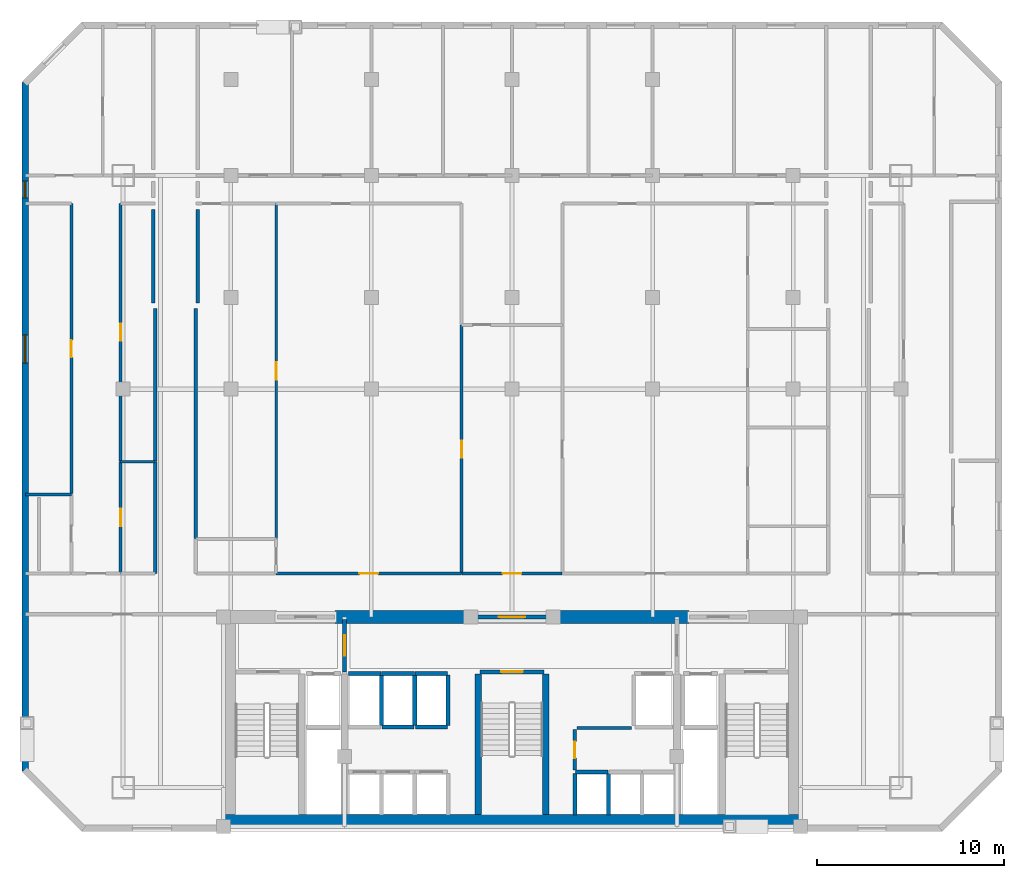
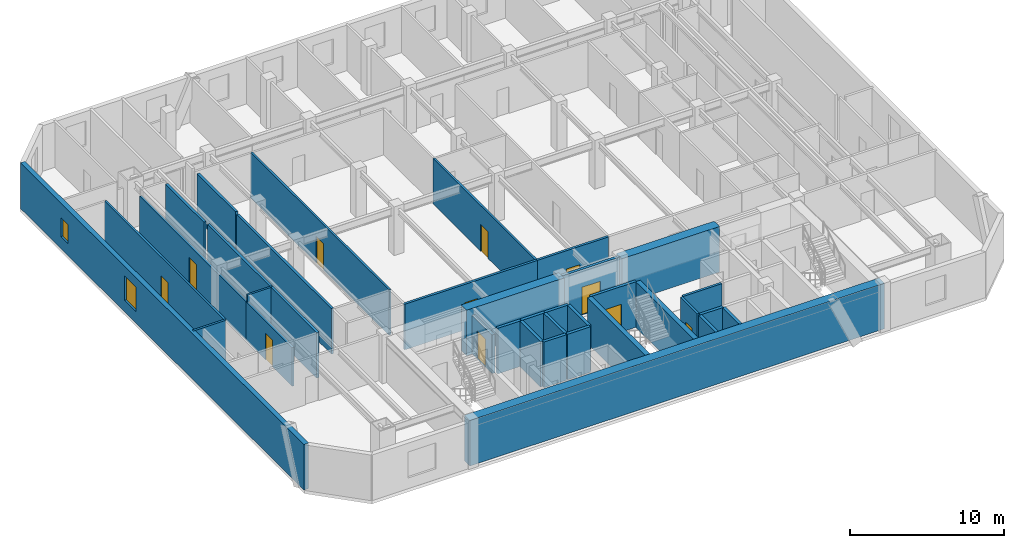
# One storey, part 3 of 8: 36 walls, 11 doors, 2 windows, 13 openings.
"""IFC4 building model written with IfcOpenShell, lengths in metres."""

from ifc_helpers import new_model, si_unit, direction, frame, frame_2d, origin, place, context, subcontext, project, spatial, rectangle, extrude, material, layer, layer_set, type_object, element, fill, save


model = new_model("IFC4")

# Units and contexts
model_context = context("Model", 3, precision=1e-05, world=origin(), true_north=direction((0.0, 1.0)))
body_context = subcontext(model_context, "Body", "Model", "MODEL_VIEW")
ifc_project = project(units=[si_unit("LENGTHUNIT", "METRE"), si_unit("AREAUNIT", "SQUARE_METRE"), si_unit("VOLUMEUNIT", "CUBIC_METRE"), si_unit("PLANEANGLEUNIT", "RADIAN"), si_unit("MASSUNIT", "GRAM", prefix="KILO")], contexts=[model_context])

# Site, building, storey
site_placement = place(None, origin())
site = spatial("IfcSite", under=ifc_project, at=site_placement, CompositionType="ELEMENT")
building_placement = place(site_placement, origin())
building = spatial("IfcBuilding", under=site, at=building_placement, Name="Ventersveld Concourse Tower", CompositionType="ELEMENT")
storey_placement = place(building_placement, frame((0.0, 0.0, 127.25)))
storey = spatial("IfcBuildingStorey", under=building, at=storey_placement, Name="L31", CompositionType="ELEMENT", Elevation=127.25)

# Walls
ifc_material_1 = material(Name="Concrete C60/75", Category="concrete")
ifc_layer_1 = layer(ifc_material_1, 0.35009765625)
ifc_layer_set_1 = layer_set([ifc_layer_1], Name="Concrete C60/75")
wall_type_1 = type_object("IfcWallType", Name="WL-CORE-350L", PredefinedType="SHEAR", material=ifc_layer_set_1)
for number, where, z_axis, x_axis, name in (
    (1, (26.93994140625, 0.919921875, 0.0), (0.0, 0.0, 1.0), (0.0, 1.0, 0.0), "L31 Core Internal Shear Web W-ST3-W"),
    (2, (30.56005859375, 0.919921875, 0.0), (0.0, 0.0, 1.0), (0.0, 1.0, 0.0), "L31 Core Internal Shear Web W-ST3-E"),
):
    element("IfcWall", number, at=place(storey_placement, frame(where, z_axis=z_axis, x_axis=x_axis)), inside=storey, type_object=wall_type_1, Name=name, PredefinedType="SHEAR", context=body_context, shape_type="SweptSolid", body=[
        extrude(rectangle(XDim=7.5, YDim=0.35009765625, at=frame_2d((3.75, 0.0))), origin(), (0.0, 0.0, 1.0), 3.60009765625),
    ])
ifc_layer_2 = layer(ifc_material_1, 0.699951171875)
ifc_layer_set_2 = layer_set([ifc_layer_2], Name="Concrete C60/75")
wall_type_2 = type_object("IfcWallType", Name="WL-CORE-700", PredefinedType="SHEAR", material=ifc_layer_set_2)
wall_1_placement = place(storey_placement, frame((13.25, 0.570068359375, 0.0), z_axis=(0.0, 0.0, 1.0), x_axis=(1.0, 0.0, 0.0)))
element("IfcWall", 3, at=wall_1_placement, inside=storey, type_object=wall_type_2, Name="L31 Rear Core South Shear Wall", PredefinedType="SHEAR", context=body_context, shape_type="SweptSolid", body=[
    extrude(rectangle(XDim=31.0, YDim=0.699951171875, at=frame_2d((15.5, 0.0))), origin(), (0.0, 0.0, 1.0), 3.60009765625),
])
for number, where, z_axis, x_axis, name in (
    (4, (19.300048828125, 11.449951171875, 0.0), (0.0, 0.0, 1.0), (1.0, 0.0, 0.0), "L31 Rear Core North Shear Wall NML"),
    (5, (30.89990234375, 11.449951171875, 0.0), (0.0, 0.0, 1.0), (1.0, 0.0, 0.0), "L31 Rear Core North Shear Wall NMR"),
):
    element("IfcWall", number, at=place(storey_placement, frame(where, z_axis=z_axis, x_axis=x_axis)), inside=storey, type_object=wall_type_2, Name=name, PredefinedType="SHEAR", context=body_context, shape_type="SweptSolid", body=[
        extrude(rectangle(XDim=7.300048828125, YDim=0.699951171875, at=frame_2d((3.64990234375, 0.0))), origin(), (0.0, 0.0, 1.0), 3.60009765625),
    ])

# Wall, opening, door
ifc_material_2 = material(Name="Fire-rated autoclaved aerated masonry blockwork", Category="masonry")
ifc_layer_3 = layer(ifc_material_2, 0.179931640625)
ifc_layer_set_3 = layer_set([ifc_layer_3], Name="Fire-rated autoclaved aerated masonry blockwork")
wall_type_3 = type_object("IfcWallType", Name="WL-CORR-180", PredefinedType="PARTITIONING", material=ifc_layer_set_3)
wall_2_placement = place(storey_placement, frame((32.10009765625, 3.280029296875, 0.0), z_axis=(0.0, 0.0, 1.0), x_axis=(0.0, 1.0, 0.0)))
wall_2 = element("IfcWall", 6, at=wall_2_placement, inside=storey, type_object=wall_type_3, Name="L31 Core Passage Wall SP-L31-CBAY2", PredefinedType="PARTITIONING", context=body_context, shape_type="SweptSolid", body=[
    extrude(rectangle(XDim=2.169921875, YDim=0.179931640625, at=frame_2d((1.0849609375, 0.0))), origin(), (0.0, 0.0, 1.0), 3.60009765625),
])
opening_1_placement = place(wall_2_placement, frame((0.64501953125, 0.0, 0.0)))
opening_1 = element("IfcOpeningElement", 7, at=opening_1_placement, cuts=wall_2, Name="Opening FD5", PredefinedType="OPENING", context=body_context, shape_type="SweptSolid", body=[
    extrude(rectangle(XDim=0.8798828125, YDim=2.050048828125, at=frame_2d((0.43994140625, 1.02490234375))), frame((0.0, 0.10009765625, 0.0), z_axis=(0.0, -1.0, 0.0), x_axis=(1.0, 0.0, 0.0)), (0.0, 0.0, 1.0), 0.199951171875),
])
ifc_material_3 = material(Name="Galvanised painted steel", Category="steel")
door_type_1 = type_object("IfcDoorType", Name="DR-RISER-088", OperationType="NOTDEFINED", PredefinedType="DOOR", material=ifc_material_3)
door_1_placement = place(opening_1_placement, origin())
door_1 = element("IfcDoor", 8, at=door_1_placement, inside=storey, type_object=door_type_1, Name="L31 Core Room Door L31 Core Parcel and Mail Store (CD-L31-1542)", OperationType="SINGLE_SWING_LEFT", OverallHeight=2.050048828125, OverallWidth=0.8798828125, PredefinedType="DOOR", context=body_context, shape_type="SweptSolid", body=[
    extrude(rectangle(XDim=0.8798828125, YDim=2.050048828125, at=frame_2d((0.43994140625, 1.02490234375))), frame((0.0, 0.02490234375, 0.0), z_axis=(0.0, -1.0, 0.0), x_axis=(1.0, 0.0, 0.0)), (0.0, 0.0, 1.0), 0.050048828125),
])
fill(opening_1, door_1)

# Walls
wall_3_placement = place(storey_placement, frame((32.219970703125, 5.530029296875, 0.0), z_axis=(0.0, 0.0, 1.0), x_axis=(1.0, 0.0, 0.0)))
element("IfcWall", 9, at=wall_3_placement, inside=storey, type_object=wall_type_3, Name="L31 Core Top Wall SP-L31-CBAY2", PredefinedType="PARTITIONING", context=body_context, shape_type="SweptSolid", body=[
    extrude(rectangle(XDim=2.900146484375, YDim=0.179931640625, at=frame_2d((1.4501953125, 0.0))), origin(), (0.0, 0.0, 1.0), 3.60009765625),
])
wall_4_placement = place(storey_placement, frame((9.7099609375, 13.764892578125, 0.0), z_axis=(0.0, 0.0, 1.0), x_axis=(0.0, 1.0, 0.0)))
element("IfcWall", 10, at=wall_4_placement, inside=storey, type_object=wall_type_3, Name="L31 Interior Partition SP-L31-COR-SP-L31-31NW-KIT", PredefinedType="PARTITIONING", context=body_context, shape_type="SweptSolid", body=[
    extrude(rectangle(XDim=5.974365234375, YDim=0.179931640625, at=frame_2d((2.9873046875, 0.0))), origin(), (0.0, 0.0, 1.0), 3.60009765625),
])
wall_5_placement = place(storey_placement, frame((9.7099609375, 19.769287109375, 0.0), z_axis=(0.0, 0.0, 1.0), x_axis=(0.0, 1.0, 0.0)))
element("IfcWall", 11, at=wall_5_placement, inside=storey, type_object=wall_type_3, Name="L31 Interior Partition SP-L31-COR-SP-L31-31NW-OFFR1", PredefinedType="PARTITIONING", context=body_context, shape_type="SweptSolid", body=[
    extrude(rectangle(XDim=8.125732421875, YDim=0.179931640625, at=frame_2d((4.06298828125, 0.0))), origin(), (0.0, 0.0, 1.0), 3.60009765625),
])

# Wall, opening, door
wall_6_placement = place(storey_placement, frame((16.1650390625, 13.77001953125, 0.0), z_axis=(0.0, 0.0, 1.0), x_axis=(1.0, 0.0, 0.0)))
wall_6 = element("IfcWall", 12, at=wall_6_placement, inside=storey, type_object=wall_type_3, Name="L31 Interior Partition SP-L31-COR-SP-L31-31N1-WGAL1", PredefinedType="PARTITIONING", context=body_context, shape_type="SweptSolid", body=[
    extrude(rectangle(XDim=9.89990234375, YDim=0.179931640625, at=frame_2d((4.949951171875, 0.0))), origin(), (0.0, 0.0, 1.0), 3.60009765625),
])
opening_2_placement = place(wall_6_placement, frame((4.449951171875, 0.0, 0.0)))
opening_2 = element("IfcOpeningElement", 13, at=opening_2_placement, cuts=wall_6, Name="Opening FD3", PredefinedType="OPENING", context=body_context, shape_type="SweptSolid", body=[
    extrude(rectangle(XDim=1.0, YDim=2.14990234375, at=frame_2d((0.5, 1.074951171875))), frame((0.0, 0.10009765625, 0.0), z_axis=(0.0, -1.0, 0.0), x_axis=(1.0, 0.0, 0.0)), (0.0, 0.0, 1.0), 0.199951171875),
])
ifc_material_4 = material(Name="Solid-core hardwood veneer timber", Category="wood")
door_type_2 = type_object("IfcDoorType", Name="DR-FLAT-100", OperationType="NOTDEFINED", PredefinedType="DOOR", material=ifc_material_4)
door_2_placement = place(opening_2_placement, origin())
door_2 = element("IfcDoor", 14, at=door_2_placement, inside=storey, type_object=door_type_2, Name="L31 Interior Door SP-L31-COR to SP-L31-31N1-WGAL1 (FD-L31-1547)", OperationType="SINGLE_SWING_LEFT", OverallHeight=2.14990234375, OverallWidth=1.0, PredefinedType="DOOR", context=body_context, shape_type="SweptSolid", body=[
    extrude(rectangle(XDim=1.0, YDim=2.14990234375, at=frame_2d((0.5, 1.074951171875))), frame((0.0, 0.02490234375, 0.0), z_axis=(0.0, -1.0, 0.0), x_axis=(1.0, 0.0, 0.0)), (0.0, 0.0, 1.0), 0.050048828125),
])
fill(opening_2, door_2)

wall_7_placement = place(storey_placement, frame((26.094970703125, 13.77001953125, 0.0), z_axis=(0.0, 0.0, 1.0), x_axis=(1.0, 0.0, 0.0)))
wall_7 = element("IfcWall", 15, at=wall_7_placement, inside=storey, type_object=wall_type_3, Name="L31 Interior Partition SP-L31-COR-SP-L31-31N1-FOY", PredefinedType="PARTITIONING", context=body_context, shape_type="SweptSolid", body=[
    extrude(rectangle(XDim=5.31005859375, YDim=0.179931640625, at=frame_2d((2.655029296875, 0.0))), origin(), (0.0, 0.0, 1.0), 3.60009765625),
])
opening_3_placement = place(wall_7_placement, frame((2.155029296875, 0.0, 0.0)))
opening_3 = element("IfcOpeningElement", 16, at=opening_3_placement, cuts=wall_7, Name="Opening FD3", PredefinedType="OPENING", context=body_context, shape_type="SweptSolid", body=[
    extrude(rectangle(XDim=1.0, YDim=2.14990234375, at=frame_2d((0.5, 1.074951171875))), frame((0.0, 0.10009765625, 0.0), z_axis=(0.0, -1.0, 0.0), x_axis=(1.0, 0.0, 0.0)), (0.0, 0.0, 1.0), 0.199951171875),
])
door_3_placement = place(opening_3_placement, origin())
door_3 = element("IfcDoor", 17, at=door_3_placement, inside=storey, type_object=door_type_2, Name="L31 Interior Door SP-L31-COR to SP-L31-31N1-FOY (FD-L31-1549)", OperationType="SINGLE_SWING_LEFT", OverallHeight=2.14990234375, OverallWidth=1.0, PredefinedType="DOOR", context=body_context, shape_type="SweptSolid", body=[
    extrude(rectangle(XDim=1.0, YDim=2.14990234375, at=frame_2d((0.5, 1.074951171875))), frame((0.0, 0.02490234375, 0.0), z_axis=(0.0, -1.0, 0.0), x_axis=(1.0, 0.0, 0.0)), (0.0, 0.0, 1.0), 0.050048828125),
])
fill(opening_3, door_3)

# Walls
wall_8_placement = place(storey_placement, frame((11.889892578125, 15.635009765625, 0.0), z_axis=(0.0, 0.0, 1.0), x_axis=(0.0, 1.0, 0.0)))
element("IfcWall", 18, at=wall_8_placement, inside=storey, type_object=wall_type_3, Name="L31 Interior Partition SP-L31-COR-SP-L31-31N1-OFFL0", PredefinedType="PARTITIONING", context=body_context, shape_type="SweptSolid", body=[
    extrude(rectangle(XDim=12.260009765625, YDim=0.179931640625, at=frame_2d((6.1298828125, 0.0))), origin(), (0.0, 0.0, 1.0), 3.60009765625),
])
for number, where, z_axis, x_axis, name in (
    (19, (9.6201171875, 33.175048828125, 0.0), (0.0, 0.0, 1.0), (0.0, -1.0, 0.0), "L31 Room Enclosure Wall SP-L31-31NW-OFFR1"),
    (20, (11.97998046875, 28.2099609375, 0.0), (0.0, 0.0, 1.0), (0.0, 1.0, 0.0), "L31 Room Enclosure Wall SP-L31-31N1-OFFL0"),
):
    element("IfcWall", number, at=place(storey_placement, frame(where, z_axis=z_axis, x_axis=x_axis)), inside=storey, type_object=wall_type_3, Name=name, PredefinedType="PARTITIONING", context=body_context, shape_type="SweptSolid", body=[
        extrude(rectangle(XDim=4.965087890625, YDim=0.179931640625, at=frame_2d((2.482421875, 0.0))), origin(), (0.0, 0.0, 1.0), 3.60009765625),
    ])
ifc_layer_4 = layer(ifc_material_2, 0.219970703125)
ifc_layer_set_4 = layer_set([ifc_layer_4], Name="Fire-rated autoclaved aerated masonry blockwork")
wall_type_4 = type_object("IfcWallType", Name="WL-HOIST-220", PredefinedType="SOLIDWALL", material=ifc_layer_set_4)
for number, where, z_axis, x_axis, name in (
    (21, (32.1201171875, 0.89990234375, 0.0), (0.0, 0.0, 1.0), (0.0, 1.0, 0.0), "L31 Lift Hoistway Side Wall PM-01W"),
    (22, (33.89990234375, 0.89990234375, 0.0), (0.0, 0.0, 1.0), (0.0, 1.0, 0.0), "L31 Lift Hoistway Side Wall PM-01E"),
):
    element("IfcWall", number, at=place(storey_placement, frame(where, z_axis=z_axis, x_axis=x_axis)), inside=storey, type_object=wall_type_4, Name=name, PredefinedType="SOLIDWALL", context=body_context, shape_type="SweptSolid", body=[
        extrude(rectangle(XDim=2.2001953125, YDim=0.219970703125, at=frame_2d((1.10009765625, 0.0))), origin(), (0.0, 0.0, 1.0), 3.60009765625),
    ])
wall_9_placement = place(storey_placement, frame((32.139892578125, 3.179931640625, 0.0), z_axis=(0.0, 0.0, 1.0), x_axis=(1.0, 0.0, 0.0)))
element("IfcWall", 23, at=wall_9_placement, inside=storey, type_object=wall_type_4, Name="L31 Lift Hoistway Front Wall PM-01", PredefinedType="SOLIDWALL", context=body_context, shape_type="SweptSolid", body=[
    extrude(rectangle(XDim=1.739990234375, YDim=0.219970703125, at=frame_2d((0.8701171875, 0.0))), origin(), (0.0, 0.0, 1.0), 3.60009765625),
])
wall_10_placement = place(storey_placement, frame((21.780029296875, 5.64990234375, 0.0), z_axis=(0.0, 0.0, 1.0), x_axis=(0.0, 1.0, 0.0)))
element("IfcWall", 24, at=wall_10_placement, inside=storey, type_object=wall_type_4, Name="L31 Lift Hoistway Side Wall PH-01E", PredefinedType="SOLIDWALL", context=body_context, shape_type="SweptSolid", body=[
    extrude(rectangle(XDim=2.7001953125, YDim=0.219970703125, at=frame_2d((1.35009765625, 0.0))), origin(), (0.0, 0.0, 1.0), 3.60009765625),
])
wall_11_placement = place(storey_placement, frame((20.02001953125, 8.429931640625, 0.0), z_axis=(0.0, 0.0, 1.0), x_axis=(1.0, 0.0, 0.0)))
element("IfcWall", 25, at=wall_11_placement, inside=storey, type_object=wall_type_4, Name="L31 Lift Hoistway Front Wall PH-01", PredefinedType="SOLIDWALL", context=body_context, shape_type="SweptSolid", body=[
    extrude(rectangle(XDim=1.739990234375, YDim=0.219970703125, at=frame_2d((0.8701171875, 0.0))), origin(), (0.0, 0.0, 1.0), 3.60009765625),
])
wall_12_placement = place(storey_placement, frame((21.820068359375, 5.590087890625, 0.0), z_axis=(0.0, 0.0, 1.0), x_axis=(1.0, 0.0, 0.0)))
element("IfcWall", 26, at=wall_12_placement, inside=storey, type_object=wall_type_4, Name="L31 Lift Hoistway Back Wall PH-02", PredefinedType="SOLIDWALL", context=body_context, shape_type="SweptSolid", body=[
    extrude(rectangle(XDim=1.699951171875, YDim=0.219970703125, at=frame_2d((0.85009765625, 0.0))), origin(), (0.0, 0.0, 1.0), 3.60009765625),
])
wall_13_placement = place(storey_placement, frame((23.56005859375, 5.64990234375, 0.0), z_axis=(0.0, 0.0, 1.0), x_axis=(0.0, 1.0, 0.0)))
element("IfcWall", 27, at=wall_13_placement, inside=storey, type_object=wall_type_4, Name="L31 Lift Hoistway Side Wall PH-02E", PredefinedType="SOLIDWALL", context=body_context, shape_type="SweptSolid", body=[
    extrude(rectangle(XDim=2.7001953125, YDim=0.219970703125, at=frame_2d((1.35009765625, 0.0))), origin(), (0.0, 0.0, 1.0), 3.60009765625),
])
wall_14_placement = place(storey_placement, frame((21.800048828125, 8.429931640625, 0.0), z_axis=(0.0, 0.0, 1.0), x_axis=(1.0, 0.0, 0.0)))
element("IfcWall", 28, at=wall_14_placement, inside=storey, type_object=wall_type_4, Name="L31 Lift Hoistway Front Wall PH-02", PredefinedType="SOLIDWALL", context=body_context, shape_type="SweptSolid", body=[
    extrude(rectangle(XDim=1.739990234375, YDim=0.219970703125, at=frame_2d((0.8701171875, 0.0))), origin(), (0.0, 0.0, 1.0), 3.60009765625),
])
wall_15_placement = place(storey_placement, frame((23.60009765625, 5.590087890625, 0.0), z_axis=(0.0, 0.0, 1.0), x_axis=(1.0, 0.0, 0.0)))
element("IfcWall", 29, at=wall_15_placement, inside=storey, type_object=wall_type_4, Name="L31 Lift Hoistway Back Wall PH-03", PredefinedType="SOLIDWALL", context=body_context, shape_type="SweptSolid", body=[
    extrude(rectangle(XDim=1.699951171875, YDim=0.219970703125, at=frame_2d((0.85009765625, 0.0))), origin(), (0.0, 0.0, 1.0), 3.60009765625),
])
wall_16_placement = place(storey_placement, frame((25.340087890625, 5.64990234375, 0.0), z_axis=(0.0, 0.0, 1.0), x_axis=(0.0, 1.0, 0.0)))
element("IfcWall", 30, at=wall_16_placement, inside=storey, type_object=wall_type_4, Name="L31 Lift Hoistway Side Wall PH-03E", PredefinedType="SOLIDWALL", context=body_context, shape_type="SweptSolid", body=[
    extrude(rectangle(XDim=2.7001953125, YDim=0.219970703125, at=frame_2d((1.35009765625, 0.0))), origin(), (0.0, 0.0, 1.0), 3.60009765625),
])
wall_17_placement = place(storey_placement, frame((23.580078125, 8.429931640625, 0.0), z_axis=(0.0, 0.0, 1.0), x_axis=(1.0, 0.0, 0.0)))
element("IfcWall", 31, at=wall_17_placement, inside=storey, type_object=wall_type_4, Name="L31 Lift Hoistway Front Wall PH-03", PredefinedType="SOLIDWALL", context=body_context, shape_type="SweptSolid", body=[
    extrude(rectangle(XDim=1.739990234375, YDim=0.219970703125, at=frame_2d((0.8701171875, 0.0))), origin(), (0.0, 0.0, 1.0), 3.60009765625),
])

# Wall, opening, door
wall_18_placement = place(storey_placement, frame((27.0400390625, 8.52001953125, 0.0), z_axis=(0.0, 0.0, 1.0), x_axis=(1.0, 0.0, 0.0)))
wall_18 = element("IfcWall", 32, at=wall_18_placement, inside=storey, type_object=wall_type_4, Name="L31 Escape Stair ST03 Fire Wall", PredefinedType="SOLIDWALL", context=body_context, shape_type="SweptSolid", body=[
    extrude(rectangle(XDim=3.419921875, YDim=0.219970703125, at=frame_2d((1.7099609375, 0.0))), origin(), (0.0, 0.0, 1.0), 3.60009765625),
])
opening_4_placement = place(wall_18_placement, frame((1.135009765625, 0.0, 0.0)))
opening_4 = element("IfcOpeningElement", 33, at=opening_4_placement, cuts=wall_18, Name="Opening FD1", PredefinedType="OPENING", context=body_context, shape_type="SweptSolid", body=[
    extrude(rectangle(XDim=1.14990234375, YDim=2.199951171875, at=frame_2d((0.574951171875, 1.10009765625))), frame((0.0, 0.1201171875, 0.0), z_axis=(0.0, -1.0, 0.0), x_axis=(1.0, 0.0, 0.0)), (0.0, 0.0, 1.0), 0.239990234375),
])
door_type_3 = type_object("IfcDoorType", Name="DR-STAIR-115", OperationType="NOTDEFINED", PredefinedType="DOOR", material=ifc_material_3)
door_4_placement = place(opening_4_placement, origin())
door_4 = element("IfcDoor", 34, at=door_4_placement, inside=storey, type_object=door_type_3, Name="L31 Escape Stair Door ST03 (SD-L31-1536)", OperationType="SINGLE_SWING_LEFT", OverallHeight=2.199951171875, OverallWidth=1.14990234375, PredefinedType="DOOR", context=body_context, shape_type="SweptSolid", body=[
    extrude(rectangle(XDim=1.14990234375, YDim=2.199951171875, at=frame_2d((0.574951171875, 1.10009765625))), frame((0.0, 0.02490234375, 0.0), z_axis=(0.0, -1.0, 0.0), x_axis=(1.0, 0.0, 0.0)), (0.0, 0.0, 1.0), 0.050048828125),
])
fill(opening_4, door_4)

wall_19_placement = place(storey_placement, frame((19.820068359375, 8.52001953125, 0.0), z_axis=(0.0, 0.0, 1.0), x_axis=(0.0, 1.0, 0.0)))
wall_19 = element("IfcWall", 35, at=wall_19_placement, inside=storey, type_object=wall_type_4, Name="L31 Firefighting Lobby Smoke-Stop Wall FFLW-SEP", PredefinedType="SOLIDWALL", context=body_context, shape_type="SweptSolid", body=[
    extrude(rectangle(XDim=2.800048828125, YDim=0.219970703125, at=frame_2d((1.39990234375, 0.0))), origin(), (0.0, 0.0, 1.0), 3.055419921875),
])
opening_5_placement = place(wall_19_placement, frame((0.85009765625, 0.0, 0.0)))
opening_5 = element("IfcOpeningElement", 36, at=opening_5_placement, cuts=wall_19, Name="Opening FD2", PredefinedType="OPENING", context=body_context, shape_type="SweptSolid", body=[
    extrude(rectangle(XDim=1.10009765625, YDim=2.199951171875, at=frame_2d((0.550048828125, 1.10009765625))), frame((0.0, 0.1201171875, 0.0), z_axis=(0.0, -1.0, 0.0), x_axis=(1.0, 0.0, 0.0)), (0.0, 0.0, 1.0), 0.239990234375),
])
door_type_4 = type_object("IfcDoorType", Name="DR-FFL-110", OperationType="NOTDEFINED", PredefinedType="DOOR", material=ifc_material_3)
door_5_placement = place(opening_5_placement, origin())
door_5 = element("IfcDoor", 37, at=door_5_placement, inside=storey, type_object=door_type_4, Name="L31 Firefighting Lobby Door FFLW-SEP (FD-L31-1537)", OperationType="SINGLE_SWING_LEFT", OverallHeight=2.199951171875, OverallWidth=1.10009765625, PredefinedType="DOOR", context=body_context, shape_type="SweptSolid", body=[
    extrude(rectangle(XDim=1.10009765625, YDim=2.199951171875, at=frame_2d((0.550048828125, 1.10009765625))), frame((0.0, 0.02490234375, 0.0), z_axis=(0.0, -1.0, 0.0), x_axis=(1.0, 0.0, 0.0)), (0.0, 0.0, 1.0), 0.050048828125),
])
fill(opening_5, door_5)

wall_20_placement = place(storey_placement, frame((26.6298828125, 11.449951171875, 0.0), z_axis=(0.0, 0.0, 1.0), x_axis=(1.0, 0.0, 0.0)))
wall_20 = element("IfcWall", 38, at=wall_20_placement, inside=storey, type_object=wall_type_4, Name="L31 Core North Fire Portal PLOB-OUT", PredefinedType="SOLIDWALL", context=body_context, shape_type="SweptSolid", body=[
    extrude(rectangle(XDim=4.240234375, YDim=0.219970703125, at=frame_2d((2.1201171875, 0.0))), origin(), (0.0, 0.0, 1.0), 3.60009765625),
])
opening_6_placement = place(wall_20_placement, frame((1.419921875, 0.0, 0.0)))
opening_6 = element("IfcOpeningElement", 39, at=opening_6_placement, cuts=wall_20, Name="Opening FD4", PredefinedType="OPENING", context=body_context, shape_type="SweptSolid", body=[
    extrude(rectangle(XDim=1.39990234375, YDim=2.199951171875, at=frame_2d((0.699951171875, 1.10009765625))), frame((0.0, 0.1201171875, 0.0), z_axis=(0.0, -1.0, 0.0), x_axis=(1.0, 0.0, 0.0)), (0.0, 0.0, 1.0), 0.239990234375),
])
door_type_5 = type_object("IfcDoorType", Name="DR-PLANT-140", OperationType="DOUBLE_DOOR_SINGLE_SWING", PredefinedType="DOOR", material=ifc_material_3)
door_6_placement = place(opening_6_placement, origin())
door_6 = element("IfcDoor", 40, at=door_6_placement, inside=storey, type_object=door_type_5, Name="L31 Core Lobby Fire Door PLOB-OUT (FD-L31-1540)", OperationType="DOUBLE_DOOR_SINGLE_SWING", OverallHeight=2.199951171875, OverallWidth=1.39990234375, PredefinedType="DOOR", context=body_context, shape_type="SweptSolid", body=[
    extrude(rectangle(XDim=1.39990234375, YDim=2.199951171875, at=frame_2d((0.699951171875, 1.10009765625))), frame((0.0, 0.02490234375, 0.0), z_axis=(0.0, -1.0, 0.0), x_axis=(1.0, 0.0, 0.0)), (0.0, 0.0, 1.0), 0.050048828125),
])
fill(opening_6, door_6)

ifc_material_5 = material(Name="Autoclaved aerated masonry blockwork", Category="masonry")
ifc_layer_5 = layer(ifc_material_5, 0.14990234375)
ifc_layer_set_5 = layer_set([ifc_layer_5], Name="Autoclaved aerated masonry blockwork")
wall_type_5 = type_object("IfcWallType", Name="WL-INT-150", PredefinedType="PARTITIONING", material=ifc_layer_set_5)
wall_21_placement = place(storey_placement, frame((5.244384765625, 18.0234375, 0.0), z_axis=(0.0, 0.0, 1.0), x_axis=(0.0, 1.0, 0.0)))
wall_21 = element("IfcWall", 41, at=wall_21_placement, inside=storey, type_object=wall_type_5, Name="L31 Interior Partition SP-L31-31NW-LIV-SP-L31-31NW-OFFL0", PredefinedType="PARTITIONING", context=body_context, shape_type="SweptSolid", body=[
    extrude(rectangle(XDim=15.4814453125, YDim=0.14990234375, at=frame_2d((7.74072265625, 0.0))), origin(), (0.0, 0.0, 1.0), 3.60009765625),
])
opening_7_placement = place(wall_21_placement, frame((7.28076171875, 0.0, 0.0)))
opening_7 = element("IfcOpeningElement", 42, at=opening_7_placement, cuts=wall_21, Name="Opening ID1", PredefinedType="OPENING", context=body_context, shape_type="SweptSolid", body=[
    extrude(rectangle(XDim=0.919921875, YDim=2.10009765625, at=frame_2d((0.4599609375, 1.050048828125))), frame((0.0, 0.0849609375, 0.0), z_axis=(0.0, -1.0, 0.0), x_axis=(1.0, 0.0, 0.0)), (0.0, 0.0, 1.0), 0.169921875),
])
door_type_6 = type_object("IfcDoorType", Name="DR-ROOM-092", OperationType="NOTDEFINED", PredefinedType="DOOR", material=ifc_material_4)
door_7_placement = place(opening_7_placement, origin())
door_7 = element("IfcDoor", 43, at=door_7_placement, inside=storey, type_object=door_type_6, Name="L31 Interior Door SP-L31-31NW-LIV to SP-L31-31NW-OFFL0 (D-L31-1551)", OperationType="SINGLE_SWING_LEFT", OverallHeight=2.10009765625, OverallWidth=0.919921875, PredefinedType="DOOR", context=body_context, shape_type="SweptSolid", body=[
    extrude(rectangle(XDim=0.919921875, YDim=2.10009765625, at=frame_2d((0.4599609375, 1.050048828125))), frame((0.0, 0.02490234375, 0.0), z_axis=(0.0, -1.0, 0.0), x_axis=(1.0, 0.0, 0.0)), (0.0, 0.0, 1.0), 0.050048828125),
])
fill(opening_7, door_7)

wall_22_placement = place(storey_placement, frame((7.870361328125, 13.764892578125, 0.0), z_axis=(0.0, 0.0, 1.0), x_axis=(0.0, 1.0, 0.0)))
wall_22 = element("IfcWall", 44, at=wall_22_placement, inside=storey, type_object=wall_type_5, Name="L31 Interior Partition SP-L31-31NW-LIV-SP-L31-31NW-KIT", PredefinedType="PARTITIONING", context=body_context, shape_type="SweptSolid", body=[
    extrude(rectangle(XDim=5.974365234375, YDim=0.14990234375, at=frame_2d((2.9873046875, 0.0))), origin(), (0.0, 0.0, 1.0), 3.055419921875),
])
opening_8_placement = place(wall_22_placement, frame((2.527099609375, 0.0, 0.0)))
opening_8 = element("IfcOpeningElement", 45, at=opening_8_placement, cuts=wall_22, Name="Opening ID1", PredefinedType="OPENING", context=body_context, shape_type="SweptSolid", body=[
    extrude(rectangle(XDim=0.919921875, YDim=2.10009765625, at=frame_2d((0.4599609375, 1.050048828125))), frame((0.0, 0.0849609375, 0.0), z_axis=(0.0, -1.0, 0.0), x_axis=(1.0, 0.0, 0.0)), (0.0, 0.0, 1.0), 0.169921875),
])
door_8_placement = place(opening_8_placement, origin())
door_8 = element("IfcDoor", 46, at=door_8_placement, inside=storey, type_object=door_type_6, Name="L31 Interior Door SP-L31-31NW-LIV to SP-L31-31NW-KIT (D-L31-1552)", OperationType="SINGLE_SWING_RIGHT", OverallHeight=2.10009765625, OverallWidth=0.919921875, PredefinedType="DOOR", context=body_context, shape_type="SweptSolid", body=[
    extrude(rectangle(XDim=0.919921875, YDim=2.10009765625, at=frame_2d((0.4599609375, 1.050048828125))), frame((0.0, 0.02490234375, 0.0), z_axis=(0.0, -1.0, 0.0), x_axis=(1.0, 0.0, 0.0)), (0.0, 0.0, 1.0), 0.050048828125),
])
fill(opening_8, door_8)

wall_23_placement = place(storey_placement, frame((7.870361328125, 19.769287109375, 0.0), z_axis=(0.0, 0.0, 1.0), x_axis=(0.0, 1.0, 0.0)))
wall_23 = element("IfcWall", 47, at=wall_23_placement, inside=storey, type_object=wall_type_5, Name="L31 Interior Partition SP-L31-31NW-LIV-SP-L31-31NW-OFFR1", PredefinedType="PARTITIONING", context=body_context, shape_type="SweptSolid", body=[
    extrude(rectangle(XDim=13.735595703125, YDim=0.14990234375, at=frame_2d((6.86767578125, 0.0))), origin(), (0.0, 0.0, 1.0), 3.055419921875),
])
opening_9_placement = place(wall_23_placement, frame((6.407958984375, 0.0, 0.0)))
opening_9 = element("IfcOpeningElement", 48, at=opening_9_placement, cuts=wall_23, Name="Opening ID1", PredefinedType="OPENING", context=body_context, shape_type="SweptSolid", body=[
    extrude(rectangle(XDim=0.919921875, YDim=2.10009765625, at=frame_2d((0.4599609375, 1.050048828125))), frame((0.0, 0.0849609375, 0.0), z_axis=(0.0, -1.0, 0.0), x_axis=(1.0, 0.0, 0.0)), (0.0, 0.0, 1.0), 0.169921875),
])
door_9_placement = place(opening_9_placement, origin())
door_9 = element("IfcDoor", 49, at=door_9_placement, inside=storey, type_object=door_type_6, Name="L31 Interior Door SP-L31-31NW-LIV to SP-L31-31NW-OFFR1 (D-L31-1553)", OperationType="SINGLE_SWING_LEFT", OverallHeight=2.10009765625, OverallWidth=0.919921875, PredefinedType="DOOR", context=body_context, shape_type="SweptSolid", body=[
    extrude(rectangle(XDim=0.919921875, YDim=2.10009765625, at=frame_2d((0.4599609375, 1.050048828125))), frame((0.0, 0.02490234375, 0.0), z_axis=(0.0, -1.0, 0.0), x_axis=(1.0, 0.0, 0.0)), (0.0, 0.0, 1.0), 0.050048828125),
])
fill(opening_9, door_9)

# Wall
wall_24_placement = place(storey_placement, frame((7.865234375, 19.734130859375, 0.0), z_axis=(0.0, 0.0, 1.0), x_axis=(1.0, 0.0, 0.0)))
element("IfcWall", 50, at=wall_24_placement, inside=storey, type_object=wall_type_5, Name="L31 Interior Partition SP-L31-31NW-KIT-SP-L31-31NW-OFFR1", PredefinedType="PARTITIONING", context=body_context, shape_type="SweptSolid", body=[
    extrude(rectangle(XDim=1.849853515625, YDim=0.14990234375, at=frame_2d((0.9248046875, 0.0))), origin(), (0.0, 0.0, 1.0), 3.60009765625),
])

# Wall, opening, door
wall_25_placement = place(storey_placement, frame((26.06005859375, 13.764892578125, 0.0), z_axis=(0.0, 0.0, 1.0), x_axis=(0.0, 1.0, 0.0)))
wall_25 = element("IfcWall", 51, at=wall_25_placement, inside=storey, type_object=wall_type_5, Name="L31 Interior Partition SP-L31-31N1-WGAL1-SP-L31-31N1-FOY", PredefinedType="PARTITIONING", context=body_context, shape_type="SweptSolid", body=[
    extrude(rectangle(XDim=13.26708984375, YDim=0.14990234375, at=frame_2d((6.633544921875, 0.0))), origin(), (0.0, 0.0, 1.0), 3.60009765625),
])
opening_10_placement = place(wall_25_placement, frame((6.17333984375, 0.0, 0.0)))
opening_10 = element("IfcOpeningElement", 52, at=opening_10_placement, cuts=wall_25, Name="Opening ID1", PredefinedType="OPENING", context=body_context, shape_type="SweptSolid", body=[
    extrude(rectangle(XDim=0.919921875, YDim=2.10009765625, at=frame_2d((0.4599609375, 1.050048828125))), frame((0.0, 0.0849609375, 0.0), z_axis=(0.0, -1.0, 0.0), x_axis=(1.0, 0.0, 0.0)), (0.0, 0.0, 1.0), 0.169921875),
])
door_10_placement = place(opening_10_placement, origin())
door_10 = element("IfcDoor", 53, at=door_10_placement, inside=storey, type_object=door_type_6, Name="L31 Interior Door SP-L31-31N1-WGAL1 to SP-L31-31N1-FOY (D-L31-1561)", OperationType="SINGLE_SWING_LEFT", OverallHeight=2.10009765625, OverallWidth=0.919921875, PredefinedType="DOOR", context=body_context, shape_type="SweptSolid", body=[
    extrude(rectangle(XDim=0.919921875, YDim=2.10009765625, at=frame_2d((0.4599609375, 1.050048828125))), frame((0.0, 0.02490234375, 0.0), z_axis=(0.0, -1.0, 0.0), x_axis=(1.0, 0.0, 0.0)), (0.0, 0.0, 1.0), 0.050048828125),
])
fill(opening_10, door_10)

wall_26_placement = place(storey_placement, frame((16.169921875, 15.635009765625, 0.0), z_axis=(0.0, 0.0, 1.0), x_axis=(0.0, 1.0, 0.0)))
wall_26 = element("IfcWall", 54, at=wall_26_placement, inside=storey, type_object=wall_type_5, Name="L31 Interior Partition SP-L31-31N1-WGAL1-SP-L31-31N1-OFFL0", PredefinedType="PARTITIONING", context=body_context, shape_type="SweptSolid", body=[
    extrude(rectangle(XDim=17.869873046875, YDim=0.14990234375, at=frame_2d((8.93505859375, 0.0))), origin(), (0.0, 0.0, 1.0), 3.60009765625),
])
opening_11_placement = place(wall_26_placement, frame((8.47509765625, 0.0, 0.0)))
opening_11 = element("IfcOpeningElement", 55, at=opening_11_placement, cuts=wall_26, Name="Opening ID1", PredefinedType="OPENING", context=body_context, shape_type="SweptSolid", body=[
    extrude(rectangle(XDim=0.919921875, YDim=2.10009765625, at=frame_2d((0.4599609375, 1.050048828125))), frame((0.0, 0.0849609375, 0.0), z_axis=(0.0, -1.0, 0.0), x_axis=(1.0, 0.0, 0.0)), (0.0, 0.0, 1.0), 0.169921875),
])
door_11_placement = place(opening_11_placement, origin())
door_11 = element("IfcDoor", 56, at=door_11_placement, inside=storey, type_object=door_type_6, Name="L31 Interior Door SP-L31-31N1-WGAL1 to SP-L31-31N1-OFFL0 (D-L31-1564)", OperationType="SINGLE_SWING_RIGHT", OverallHeight=2.10009765625, OverallWidth=0.919921875, PredefinedType="DOOR", context=body_context, shape_type="SweptSolid", body=[
    extrude(rectangle(XDim=0.919921875, YDim=2.10009765625, at=frame_2d((0.4599609375, 1.050048828125))), frame((0.0, 0.02490234375, 0.0), z_axis=(0.0, -1.0, 0.0), x_axis=(1.0, 0.0, 0.0)), (0.0, 0.0, 1.0), 0.050048828125),
])
fill(opening_11, door_11)

# Wall, openings, windows
ifc_material_6 = material(Name="Precast concrete C45/55", Category="concrete")
ifc_layer_6 = layer(ifc_material_6, 0.35009765625)
ifc_layer_set_6 = layer_set([ifc_layer_6], Name="Precast concrete C45/55")
wall_type_6 = type_object("IfcWallType", Name="WL-PREC-350", PredefinedType="SOLIDWALL", material=ifc_layer_set_6)
wall_27_placement = place(storey_placement, frame((2.77490234375, 39.9599609375, 0.0), z_axis=(0.0, 0.0, 1.0), x_axis=(0.0, -1.0, 0.0)))
wall_27 = element("IfcWall", 57, at=wall_27_placement, inside=storey, type_object=wall_type_6, Name="L31 Highveld Precast Facade Wall E07", PredefinedType="SOLIDWALL", context=body_context, shape_type="SweptSolid", body=[
    extrude(rectangle(XDim=36.719970703125, YDim=0.35009765625, at=frame_2d((18.35986328125, 0.0))), origin(), (0.0, 0.0, 1.0), 3.60009765625),
])
opening_12_placement = place(wall_27_placement, frame((5.260009765625, 0.0, 0.949951171875)))
opening_12 = element("IfcOpeningElement", 58, at=opening_12_placement, cuts=wall_27, Name="Opening W4", PredefinedType="OPENING", context=body_context, shape_type="SweptSolid", body=[
    extrude(rectangle(XDim=0.89990234375, YDim=1.5, at=frame_2d((0.449951171875, 0.75))), frame((0.0, 0.18505859375, 0.0), z_axis=(0.0, -1.0, 0.0), x_axis=(1.0, 0.0, 0.0)), (0.0, 0.0, 1.0), 0.3701171875),
])
opening_13_placement = place(wall_27_placement, frame((13.4658203125, 0.0, 0.89990234375)))
opening_13 = element("IfcOpeningElement", 59, at=opening_13_placement, cuts=wall_27, Name="Opening W1", PredefinedType="OPENING", context=body_context, shape_type="SweptSolid", body=[
    extrude(rectangle(XDim=1.5, YDim=1.949951171875, at=frame_2d((0.75, 0.97509765625))), frame((0.0, 0.18505859375, 0.0), z_axis=(0.0, -1.0, 0.0), x_axis=(1.0, 0.0, 0.0)), (0.0, 0.0, 1.0), 0.3701171875),
])
ifc_material_7 = material(Name="Tempered acoustic Low-E IGU", Category="glass")
window_type_1 = type_object("IfcWindowType", Name="WIN-090x150", PartitioningType="SINGLE_PANEL", PredefinedType="WINDOW", material=ifc_material_7)
window_1_placement = place(opening_12_placement, origin())
window_1 = element("IfcWindow", 60, at=window_1_placement, inside=storey, type_object=window_type_1, Name="L31 Punched Low-E Window W-0397", OverallHeight=1.5, OverallWidth=0.89990234375, PartitioningType="SINGLE_PANEL", PredefinedType="WINDOW", context=body_context, shape_type="SweptSolid", body=[
    extrude(rectangle(XDim=0.89990234375, YDim=1.5, at=frame_2d((0.449951171875, 0.75))), frame((0.0, 0.030029296875, 0.0), z_axis=(0.0, -1.0, 0.0), x_axis=(1.0, 0.0, 0.0)), (0.0, 0.0, 1.0), 0.06005859375),
])
fill(opening_12, window_1)
window_type_2 = type_object("IfcWindowType", Name="WIN-150x210", PartitioningType="SINGLE_PANEL", PredefinedType="WINDOW", material=ifc_material_7)
window_2_placement = place(opening_13_placement, origin())
window_2 = element("IfcWindow", 61, at=window_2_placement, inside=storey, type_object=window_type_2, Name="L31 Punched Low-E Window W-0398", OverallHeight=1.949951171875, OverallWidth=1.5, PartitioningType="SINGLE_PANEL", PredefinedType="WINDOW", context=body_context, shape_type="SweptSolid", body=[
    extrude(rectangle(XDim=1.5, YDim=1.949951171875, at=frame_2d((0.75, 0.97509765625))), frame((0.0, 0.030029296875, 0.0), z_axis=(0.0, -1.0, 0.0), x_axis=(1.0, 0.0, 0.0)), (0.0, 0.0, 1.0), 0.06005859375),
])
fill(opening_13, window_2)

# Wall
ifc_layer_7 = layer(ifc_material_5, 0.1650390625)
ifc_layer_set_7 = layer_set([ifc_layer_7], Name="Autoclaved aerated masonry blockwork")
wall_type_7 = type_object("IfcWallType", Name="WL-WET-165", PredefinedType="PLUMBINGWALL", material=ifc_layer_set_7)
wall_28_placement = place(storey_placement, frame((2.81005859375, 17.98828125, 0.0), z_axis=(0.0, 0.0, 1.0), x_axis=(1.0, 0.0, 0.0)))
element("IfcWall", 62, at=wall_28_placement, inside=storey, type_object=wall_type_7, Name="L31 Interior Partition SP-L31-31NW-BATH-SP-L31-31NW-OFFL0", PredefinedType="PLUMBINGWALL", context=body_context, shape_type="SweptSolid", body=[
    extrude(rectangle(XDim=2.439208984375, YDim=0.1650390625, at=frame_2d((1.2197265625, 0.0))), origin(), (0.0, 0.0, 1.0), 3.60009765625),
])

save(model, "model.ifc")
